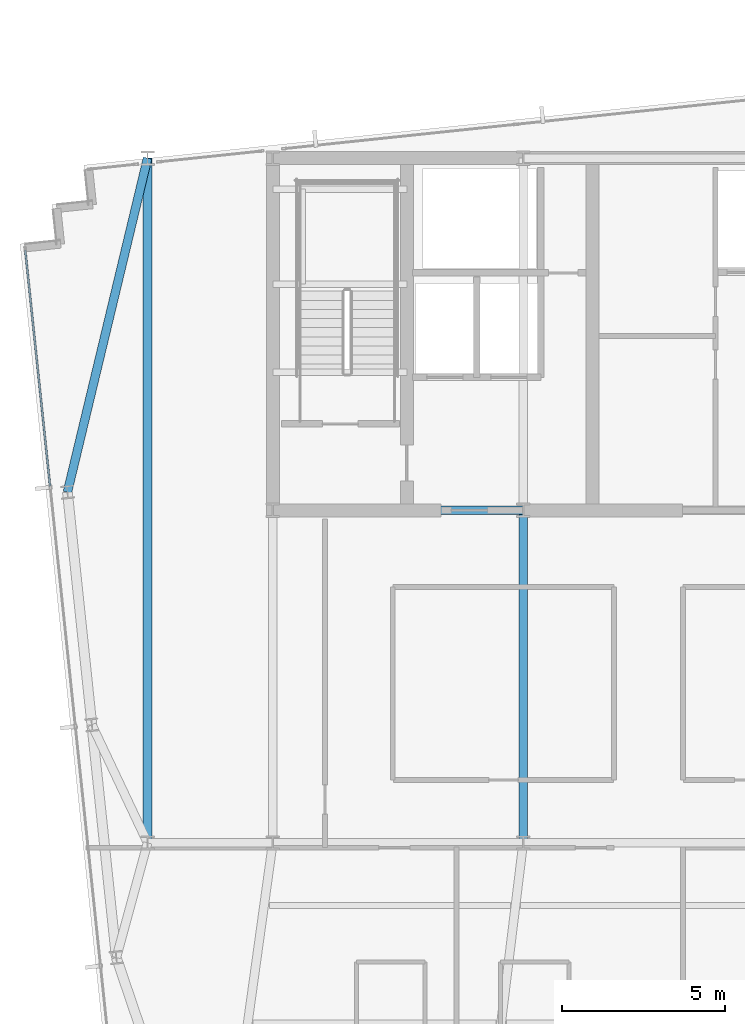
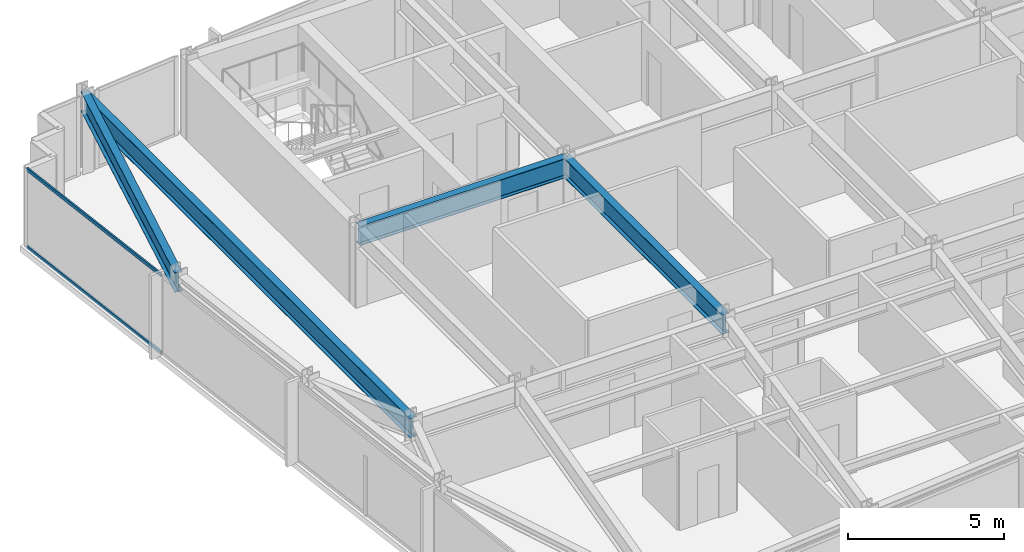
# One storey, part 11 of 33: 4 beams, 2 members, 1 element without a shape of its own.
"""IFC4 building model written with IfcOpenShell, lengths in metres."""

import ifcopenshell
import ifcopenshell.guid

model = None  # the IFC model being written
_history = None  # IfcOwnerHistory: only IFC2X3 demands one
_inside = {}  # id of a spatial element -> (the spatial element, [elements in it])
_under = {}  # id of a project, library or spatial element -> (it, [spatial elements below it])
_declared = {}  # id of a project -> (the project, [libraries it declares])
_typed = {}  # id of a type object -> (the type object, [elements of that type])
_made_of = {}  # id of a material, layer set ... -> (it, [elements and type objects made of it])


def new_model(schema):
    """Start an empty IFC model of exactly this schema.

    Asked for "IFC4X3", IfcOpenShell would pick the latest addendum, in which some entities
    have other attributes; the version numbers below select the first issue.
    IFC2X3 requires an IfcOwnerHistory on every rooted entity: one is made here for all.
    """
    global model, _history
    if schema == "IFC4X3":
        model = ifcopenshell.file(schema_version=(4, 3, 0, 0))
    else:
        model = ifcopenshell.file(schema=schema)
    _inside.clear()
    _under.clear()
    _declared.clear()
    _typed.clear()
    _made_of.clear()
    _history = None
    if model.schema == "IFC2X3":
        org = make("IfcOrganization", Name="unknown")
        user = make(
            "IfcPersonAndOrganization",
            ThePerson=make("IfcPerson", FamilyName="unknown"),
            TheOrganization=org,
        )
        app = make(
            "IfcApplication",
            ApplicationDeveloper=org,
            Version="unknown",
            ApplicationFullName="unknown",
            ApplicationIdentifier="unknown",
        )
        _history = make(
            "IfcOwnerHistory",
            OwningUser=user,
            OwningApplication=app,
            ChangeAction="ADDED",
            CreationDate=0,
        )
    return model


def make(cls, **values):
    """One entity of the class cls with the attributes given. An attribute that is None is left unset."""
    return model.create_entity(
        cls, **{name: value for name, value in values.items() if value is not None}
    )


def rooted(cls, **values):
    """An entity with a GlobalId (a new one), such as an element, a storey or a relation."""
    return make(cls, GlobalId=ifcopenshell.guid.new(), OwnerHistory=_history, **values)


def si_unit(unit_type, name, prefix=None):
    """IfcSIUnit, for example si_unit("LENGTHUNIT", "METRE", prefix="MILLI")."""
    return make("IfcSIUnit", UnitType=unit_type, Prefix=prefix, Name=name)


def assignment(units):
    """IfcUnitAssignment: the units of a project."""
    return None if units is None else make("IfcUnitAssignment", Units=units)


def point(xyz):
    """IfcCartesianPoint."""
    return None if xyz is None else make("IfcCartesianPoint", Coordinates=xyz)


def direction(xyz):
    """IfcDirection."""
    return None if xyz is None else make("IfcDirection", DirectionRatios=xyz)


def frame(location, z_axis=None, x_axis=None):
    """IfcAxis2Placement3D, a coordinate frame: its origin and axes. An axis left out is left unset."""
    return make(
        "IfcAxis2Placement3D",
        Location=point(location),
        Axis=direction(z_axis),
        RefDirection=direction(x_axis),
    )


def frame_2d(location, x_axis=None):
    """IfcAxis2Placement2D, a coordinate frame in the plane: its origin and x axis."""
    return make(
        "IfcAxis2Placement2D", Location=point(location), RefDirection=direction(x_axis)
    )


def origin():
    """The frame at (0, 0, 0) with its axes left unset."""
    return frame((0.0, 0.0, 0.0))


def origin_2d():
    """The frame at (0, 0) in the plane with its x axis left unset."""
    return frame_2d((0.0, 0.0))


def place(relative_to, where):
    """IfcLocalPlacement: puts the frame where relative to a parent placement (None: the world)."""
    return make(
        "IfcLocalPlacement", PlacementRelTo=relative_to, RelativePlacement=where
    )


def context(
    kind, dimensions, precision=None, world=None, true_north=None, identifier=None
):
    """IfcGeometricRepresentationContext, for example the 3D "Model" context."""
    return make(
        "IfcGeometricRepresentationContext",
        ContextIdentifier=identifier,
        ContextType=kind,
        CoordinateSpaceDimension=dimensions,
        Precision=precision,
        WorldCoordinateSystem=world,
        TrueNorth=true_north,
    )


def subcontext(parent, identifier, kind, view, scale=None):
    """IfcGeometricRepresentationSubContext, for example "Body" below "Model"."""
    return make(
        "IfcGeometricRepresentationSubContext",
        ContextIdentifier=identifier,
        ContextType=kind,
        ParentContext=parent,
        TargetScale=scale,
        TargetView=view,
    )


def project(units=None, contexts=None):
    """IfcProject with its units and contexts."""
    return rooted(
        "IfcProject",
        Name="project",
        RepresentationContexts=contexts,
        UnitsInContext=assignment(units),
    )


def spatial(cls, under=None, at=None, **own):
    """A site, building, storey or space (cls), placed at a placement, below another one or the project."""
    s = rooted(cls, ObjectPlacement=at, **own)
    if under is not None:
        _under.setdefault(under.id(), (under, []))[1].append(s)
    return s


def profile(cls, at=None, kind="AREA", **sizes):
    """A parametric profile (cls). Its sizes go by their IFC names, for example OverallWidth=200.0."""
    return make(cls, ProfileType=kind, Position=at, **sizes)


def hollow_rectangle(**sizes):
    """IfcRectangleHollowProfileDef."""
    return profile("IfcRectangleHollowProfileDef", **sizes)


def i_section(**sizes):
    """IfcIShapeProfileDef."""
    return profile("IfcIShapeProfileDef", **sizes)


def extrude(swept, where, along, depth):
    """IfcExtrudedAreaSolid: the profile swept, set in the frame where, extruded along a direction by depth."""
    return make(
        "IfcExtrudedAreaSolid",
        SweptArea=swept,
        Position=where,
        ExtrudedDirection=direction(along),
        Depth=depth,
    )


def shape(context_of_items, identifier, shape_type, items):
    """IfcShapeRepresentation: the items that make up one representation, for example the "Body"."""
    return make(
        "IfcShapeRepresentation",
        ContextOfItems=context_of_items,
        RepresentationIdentifier=identifier,
        RepresentationType=shape_type,
        Items=items,
    )


def material(Name=None, Category=None):
    """IfcMaterial."""
    return make("IfcMaterial", Name=Name, Category=Category)


def material_profile(
    of_material, cross_section, Name=None, Category=None, Priority=None
):
    """IfcMaterialProfile: a cross section and its material."""
    return make(
        "IfcMaterialProfile",
        Name=Name,
        Material=of_material,
        Profile=cross_section,
        Priority=Priority,
        Category=Category,
    )


def profile_set(profiles, Name=None, composite=None):
    """IfcMaterialProfileSet."""
    return make(
        "IfcMaterialProfileSet",
        Name=Name,
        MaterialProfiles=profiles,
        CompositeProfile=composite,
    )


def made_of(thing, what):
    """Note that an element or type object is made of a material, layer set ...; save() writes the relation."""
    if what is not None:
        _made_of.setdefault(what.id(), (what, []))[1].append(thing)
    return thing


def type_object(cls, material=None, **own):
    """A type object (cls), such as IfcWallType, which elements share."""
    return made_of(rooted(cls, **own), material)


def element(
    cls,
    number,
    at=None,
    inside=None,
    cuts=None,
    type_object=None,
    material=None,
    context=None,
    identifier="Body",
    shape_type=None,
    held_by="IfcProductDefinitionShape",
    body=None,
    shapes=None,
    **own,
):
    """One element of the class cls, such as IfcWall. Its Tag is "e" and its number.

    at: its placement. inside: the storey or other place that contains it. cuts: it is an
    opening in that element (IfcRelVoidsElement). A single representation is given by context,
    identifier, shape_type and body (its items); several are given by shapes. held_by: the class
    of the entity that holds the representations. save() writes the other relations.
    """
    e = rooted(cls, Tag="e%d" % number, ObjectPlacement=at, **own)
    if body is not None:
        shapes = [shape(context, identifier, shape_type, body)]
    if shapes is not None:
        e.Representation = make(held_by, Representations=shapes)
    if inside is not None:
        _inside.setdefault(inside.id(), (inside, []))[1].append(e)
    if cuts is not None:
        rooted(
            "IfcRelVoidsElement", RelatingBuildingElement=cuts, RelatedOpeningElement=e
        )
    if type_object is not None:
        _typed.setdefault(type_object.id(), (type_object, []))[1].append(e)
    return made_of(e, material)


def aggregate(whole, parts):
    """IfcRelAggregates: a whole, such as a stair, and the parts it consists of."""
    return rooted("IfcRelAggregates", RelatingObject=whole, RelatedObjects=parts)


def save(model, path):
    """Write the relations noted so far, then the file.

    IfcRelAggregates (storeys below a building ...), IfcRelContainedInSpatialStructure (elements
    in a storey), IfcRelDefinesByType, IfcRelAssociatesMaterial and IfcRelDeclares: one each for
    every whole, place, type object, material and project.
    """
    for whole, parts in _under.values():
        aggregate(whole, parts)
    for where, things in _inside.values():
        rooted(
            "IfcRelContainedInSpatialStructure",
            RelatedElements=things,
            RelatingStructure=where,
        )
    for kind, things in _typed.values():
        rooted("IfcRelDefinesByType", RelatedObjects=things, RelatingType=kind)
    for what, things in _made_of.values():
        rooted("IfcRelAssociatesMaterial", RelatedObjects=things, RelatingMaterial=what)
    for by, libraries in _declared.values():
        rooted("IfcRelDeclares", RelatingContext=by, RelatedDefinitions=libraries)
    model.write(path)


model = new_model("IFC4")

# Units and contexts
model_context = context("Model", 3, precision=1e-05, world=origin(), true_north=direction((0.0, 1.0)))
body_context = subcontext(model_context, "Body", "Model", "MODEL_VIEW")
ifc_project = project(units=[si_unit("LENGTHUNIT", "METRE"), si_unit("AREAUNIT", "SQUARE_METRE"), si_unit("VOLUMEUNIT", "CUBIC_METRE"), si_unit("PLANEANGLEUNIT", "RADIAN"), si_unit("MASSUNIT", "GRAM", prefix="KILO")], contexts=[model_context])

# Site, building, storey
site_placement = place(None, origin())
site = spatial("IfcSite", under=ifc_project, at=site_placement, CompositionType="ELEMENT")
building_placement = place(site_placement, origin())
building = spatial("IfcBuilding", under=site, at=building_placement, Name="Yelkora Congress Tower", CompositionType="ELEMENT")
storey_placement = place(building_placement, frame((0.0, 0.0, 240.800048828125)))
storey = spatial("IfcBuildingStorey", under=building, at=storey_placement, Name="L67", CompositionType="ELEMENT", Elevation=240.800048828125)

# Beams
ifc_material_1 = material(Name="Steel S355J2", Category="steel")
ifc_material_profile_1 = material_profile(ifc_material_1, i_section(OverallWidth=0.26708984375, OverallDepth=0.761962890625, WebThickness=0.014404296875, FlangeThickness=0.021484375, FilletRadius=0.01708984375, at=origin_2d()), Name="IPE 750x173")
ifc_profile_set_1 = profile_set([ifc_material_profile_1], Name="Steel S355J2")
beam_type = type_object("IfcBeamType", Name="BM-GIRD-IPE750", PredefinedType="BEAM", material=ifc_profile_set_1)
beam_1_placement = place(storey_placement, frame((23.0400390625, 35.39990234375, 2.698974609375), z_axis=(1.0, 0.0, 0.0), x_axis=(0.0, 1.0, 0.0)))
element("IfcBeam", 1, at=beam_1_placement, inside=storey, type_object=beam_type, Name="L67 Core South Girder 1", PredefinedType="BEAM", context=body_context, shape_type="SweptSolid", body=[
    extrude(i_section(OverallWidth=0.26708984375, OverallDepth=0.761962890625, WebThickness=0.014404296875, FlangeThickness=0.021484375, FilletRadius=0.01708984375, at=origin_2d()), origin(), (0.0, 0.0, 1.0), 7.679931640625),
])
beam_2_placement = place(storey_placement, frame((30.719970703125, 25.199951171875, 2.698974609375), z_axis=(0.0, 1.0, 0.0), x_axis=(-1.0, 0.0, 0.0)))
element("IfcBeam", 2, at=beam_2_placement, inside=storey, type_object=beam_type, Name="L67 Core Tie Girder MC-D2", PredefinedType="BEAM", context=body_context, shape_type="SweptSolid", body=[
    extrude(i_section(OverallWidth=0.26708984375, OverallDepth=0.761962890625, WebThickness=0.014404296875, FlangeThickness=0.021484375, FilletRadius=0.01708984375, at=origin_2d()), origin(), (0.0, 0.0, 1.0), 10.199951171875),
])
beam_3_placement = place(storey_placement, frame((19.199951171875, 25.199951171875, 2.698974609375), z_axis=(0.0, 1.0, 0.0), x_axis=(-1.0, 0.0, 0.0)))
element("IfcBeam", 3, at=beam_3_placement, inside=storey, type_object=beam_type, Name="L67 Neck Flank Girder MC-F1", PredefinedType="BEAM", context=body_context, shape_type="SweptSolid", body=[
    extrude(i_section(OverallWidth=0.26708984375, OverallDepth=0.761962890625, WebThickness=0.014404296875, FlangeThickness=0.021484375, FilletRadius=0.01708984375, at=origin_2d()), origin(), (0.0, 0.0, 1.0), 21.0),
])
beam_4_placement = place(storey_placement, frame((16.7412109375, 35.95458984375, 2.698974609375), z_axis=(0.233359806768, 0.972390456856, 0.0), x_axis=(-0.972390456856, 0.233359806768, 0.0)))
element("IfcBeam", 4, at=beam_4_placement, inside=storey, type_object=beam_type, Name="L67 Primary Frame Girder W03", PredefinedType="BEAM", context=body_context, shape_type="SweptSolid", body=[
    extrude(i_section(OverallWidth=0.26708984375, OverallDepth=0.761962890625, WebThickness=0.014404296875, FlangeThickness=0.021484375, FilletRadius=0.01708984375, at=origin_2d()), origin(), (0.0, 0.0, 1.0), 10.536376953125),
])

# Curtain wall, members
ifc_material_2 = material(Name="Anodised aluminium and insulated glass", Category="aluminium")
curtain_wall_type = type_object("IfcCurtainWallType", Name="CW-SYS-B4", PredefinedType="NOTDEFINED", material=ifc_material_2)
curtain_wall_placement = place(storey_placement, origin())
curtain_wall = element("IfcCurtainWall", 5, at=curtain_wall_placement, inside=storey, type_object=curtain_wall_type, Name="L67 Unitised Curtain Wall 5", PredefinedType="NOTDEFINED")
ifc_material_3 = material(Name="Anodised aluminium 6063-T6", Category="aluminium")
ifc_material_profile_2 = material_profile(ifc_material_3, hollow_rectangle(XDim=0.06005859375, YDim=0.1298828125, WallThickness=0.00390625, at=origin_2d()), Name="ALU 60x130x4")
ifc_profile_set_2 = profile_set([ifc_material_profile_2], Name="Anodised aluminium 6063-T6")
member_type = type_object("IfcMemberType", Name="MEM-TR-B4", PredefinedType="USERDEFINED", material=ifc_profile_set_2)
member_1_placement = place(storey_placement, frame((16.208984375, 36.137451171875, 0.030029296875), z_axis=(-0.104494567873, 0.994525457334, 0.0), x_axis=(-0.994525457334, -0.104494567873, 0.0)))
member_1 = element("IfcMember", 6, at=member_1_placement, type_object=member_type, Name="CW-B4 transom 4.1", ObjectType="TRANSOM", PredefinedType="USERDEFINED", context=body_context, shape_type="SweptSolid", body=[
    extrude(hollow_rectangle(XDim=0.06005859375, YDim=0.1298828125, WallThickness=0.00390625, at=origin_2d()), origin(), (0.0, 0.0, 1.0), 7.282470703125),
])
member_2_placement = place(storey_placement, frame((16.208984375, 36.137451171875, 3.050048828125), z_axis=(-0.104494567873, 0.994525457334, 0.0), x_axis=(-0.994525457334, -0.104494567873, 0.0)))
member_2 = element("IfcMember", 7, at=member_2_placement, type_object=member_type, Name="CW-B4 transom 4.2", ObjectType="TRANSOM", PredefinedType="USERDEFINED", context=body_context, shape_type="SweptSolid", body=[
    extrude(hollow_rectangle(XDim=0.06005859375, YDim=0.1298828125, WallThickness=0.00390625, at=origin_2d()), origin(), (0.0, 0.0, 1.0), 7.282470703125),
])
aggregate(curtain_wall, [member_1, member_2])

save(model, "model.ifc")
